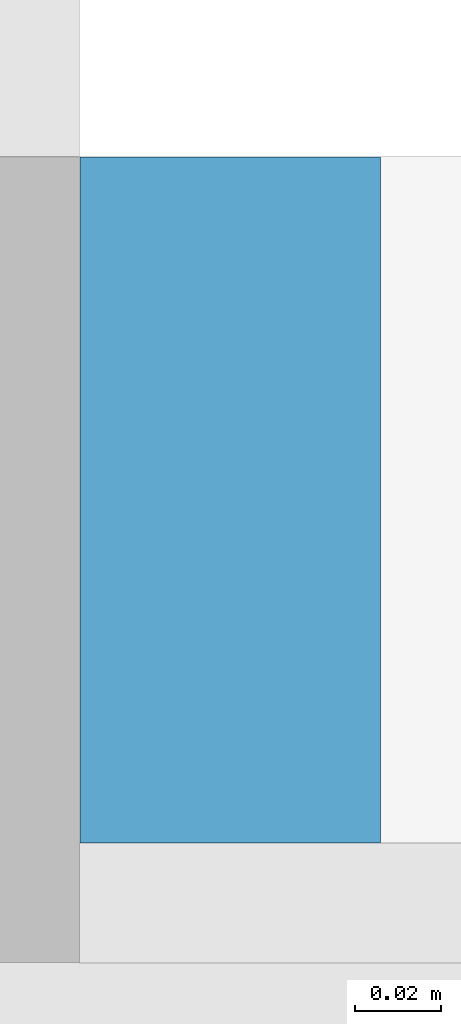
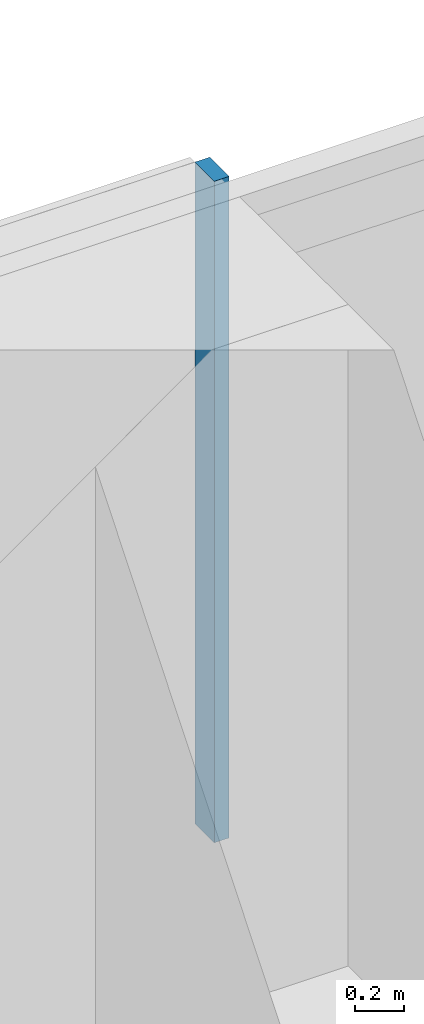
# One storey, part 10 of 27: 1 member, 1 element without a shape of its own.
"""IFC4 building model written with IfcOpenShell, lengths in metres."""

from ifc_helpers import new_model, si_unit, direction, frame, origin, origin_2d, place, context, subcontext, project, spatial, rectangle, extrude, material, material_profile, profile_set, type_object, element, aggregate, save


model = new_model("IFC4")

# Units and contexts
model_context = context("Model", 3, precision=1e-05, world=origin(), true_north=direction((0.0, 1.0)))
body_context = subcontext(model_context, "Body", "Model", "MODEL_VIEW")
ifc_project = project(units=[si_unit("LENGTHUNIT", "METRE"), si_unit("AREAUNIT", "SQUARE_METRE"), si_unit("VOLUMEUNIT", "CUBIC_METRE"), si_unit("PLANEANGLEUNIT", "RADIAN"), si_unit("MASSUNIT", "GRAM", prefix="KILO")], contexts=[model_context])

# Site, building, storey
site_placement = place(None, origin())
site = spatial("IfcSite", under=ifc_project, at=site_placement, CompositionType="ELEMENT")
building_placement = place(site_placement, origin())
building = spatial("IfcBuilding", under=site, at=building_placement, Name="Saffron Gate Tower", CompositionType="ELEMENT")
storey_placement = place(building_placement, frame((0.0, 0.0, 40.800048828125)))
storey = spatial("IfcBuildingStorey", under=building, at=storey_placement, Name="L08", CompositionType="ELEMENT", Elevation=40.800048828125)

# Curtain wall, member
ifc_material = material(Name="Aluminium, bronze anodised", Category="aluminium")
curtain_wall_type = type_object("IfcCurtainWallType", Name="CWS3 curtain wall rear facade", PredefinedType="NOTDEFINED", material=ifc_material)
curtain_wall_placement = place(storey_placement, origin())
curtain_wall = element("IfcCurtainWall", 1, at=curtain_wall_placement, inside=storey, type_object=curtain_wall_type, Name="CWS3 run 7", PredefinedType="NOTDEFINED")
ifc_material_profile = material_profile(ifc_material, rectangle(XDim=0.159912109375, YDim=0.070068359375, at=origin_2d()))
ifc_profile_set = profile_set([ifc_material_profile], Name="Aluminium, bronze anodised")
member_type = type_object("IfcMemberType", Name="CWS3 mullion 70x160", PredefinedType="MULLION", material=ifc_profile_set)
member_placement = place(storey_placement, frame((108.60009765625, 75.52001953125, 0.0), z_axis=(0.0, 0.0, 1.0), x_axis=(0.0, -1.0, 0.0)))
member = element("IfcMember", 2, at=member_placement, type_object=member_type, Name="CWS3 mullion 3", PredefinedType="MULLION", context=body_context, shape_type="SweptSolid", body=[
    extrude(rectangle(XDim=0.159912109375, YDim=0.070068359375, at=origin_2d()), origin(), (0.0, 0.0, 1.0), 3.320068359375),
])
aggregate(curtain_wall, [member])

save(model, "model.ifc")
